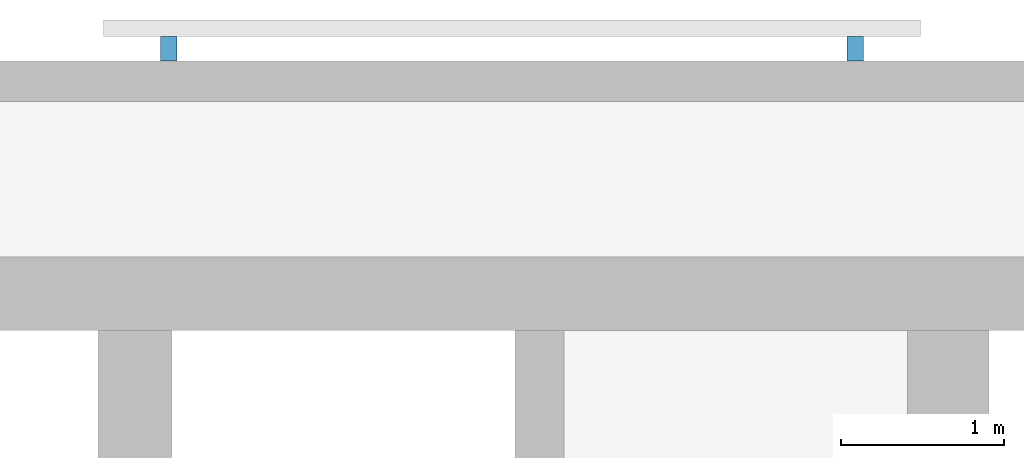
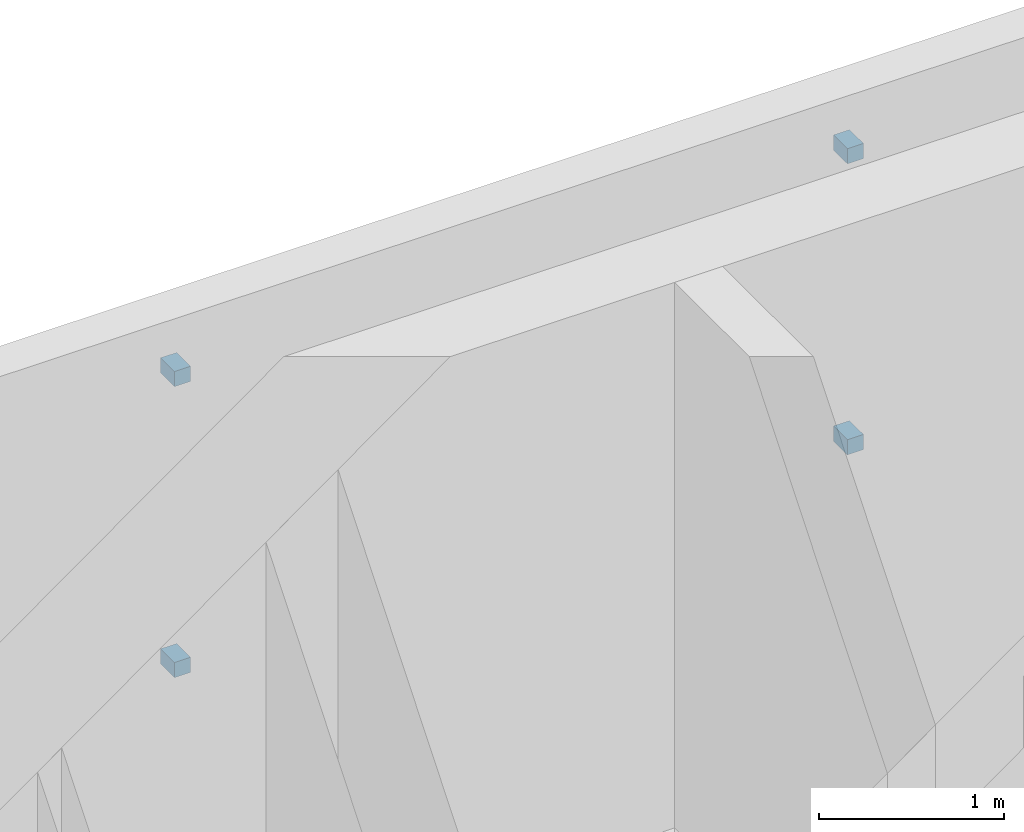
# One storey, part 11 of 14: 4 discrete accessories.
"""IFC4 building model written with IfcOpenShell, lengths in metres."""

from ifc_helpers import new_model, si_unit, direction, frame, origin, origin_2d, place, context, subcontext, project, spatial, rectangle, extrude, material, type_object, element, save


model = new_model("IFC4")

# Units and contexts
model_context = context("Model", 3, precision=1e-05, world=origin(), true_north=direction((0.0, 1.0)))
body_context = subcontext(model_context, "Body", "Model", "MODEL_VIEW")
ifc_project = project(units=[si_unit("LENGTHUNIT", "METRE"), si_unit("AREAUNIT", "SQUARE_METRE"), si_unit("VOLUMEUNIT", "CUBIC_METRE"), si_unit("PLANEANGLEUNIT", "RADIAN"), si_unit("MASSUNIT", "GRAM", prefix="KILO")], contexts=[model_context])

# Site, building, storey
site_placement = place(None, origin())
site = spatial("IfcSite", under=ifc_project, at=site_placement, CompositionType="ELEMENT")
building_placement = place(site_placement, origin())
building = spatial("IfcBuilding", under=site, at=building_placement, Name="Torana Hotel and Residences", CompositionType="ELEMENT")
storey_placement = place(building_placement, frame((0.0, 0.0, 63.60009765625)))
storey = spatial("IfcBuildingStorey", under=building, at=storey_placement, Name="L15", CompositionType="ELEMENT", Elevation=63.60009765625)

# Discrete accessories
ifc_material = material(Name="Steel S355", Category="steel")
discrete_accessory_type = type_object("IfcDiscreteAccessoryType", Name="SCREEN BRACKET 100", PredefinedType="BRACKET", material=ifc_material)
for number, where, z_axis, x_axis, name in (
    (1, (23.681396484375, 1.27490234375, 0.749755859375), (0.0, 0.0, 1.0), (-1.0, 0.0, 0.0), "Screen bracket L15"),
    (2, (23.681396484375, 1.27490234375, 2.669921875), (0.0, 0.0, 1.0), (-1.0, 0.0, 0.0), "Screen bracket L15"),
    (3, (19.4814453125, 1.27490234375, 0.749755859375), (0.0, 0.0, 1.0), (-1.0, 0.0, 0.0), "Screen bracket L15"),
    (4, (19.4814453125, 1.27490234375, 2.669921875), (0.0, 0.0, 1.0), (-1.0, 0.0, 0.0), "Screen bracket L15"),
):
    element("IfcDiscreteAccessory", number, at=place(storey_placement, frame(where, z_axis=z_axis, x_axis=x_axis)), inside=storey, type_object=discrete_accessory_type, Name=name, PredefinedType="BRACKET", context=body_context, shape_type="SweptSolid", body=[
        extrude(rectangle(XDim=0.10009765625, YDim=0.14990234375, at=origin_2d()), origin(), (0.0, 0.0, 1.0), 0.10009765625),
    ])

save(model, "model.ifc")
